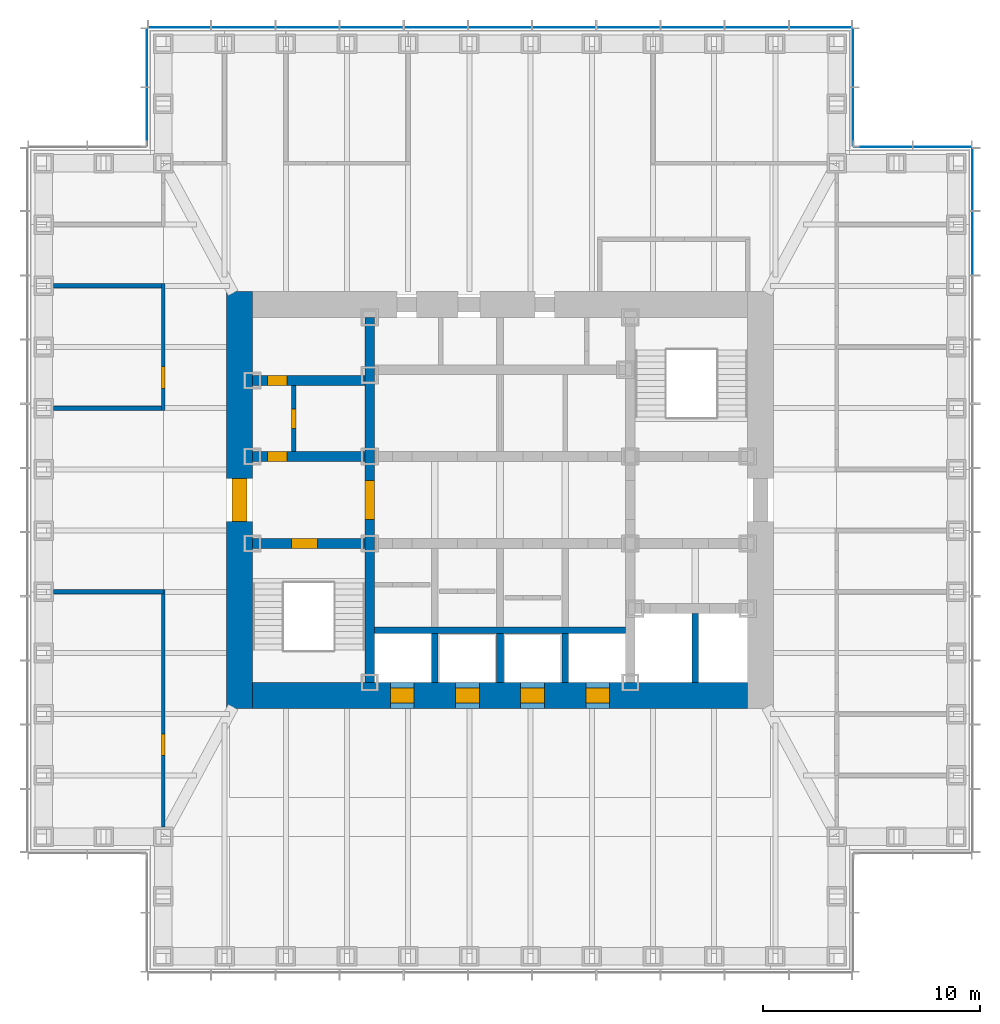
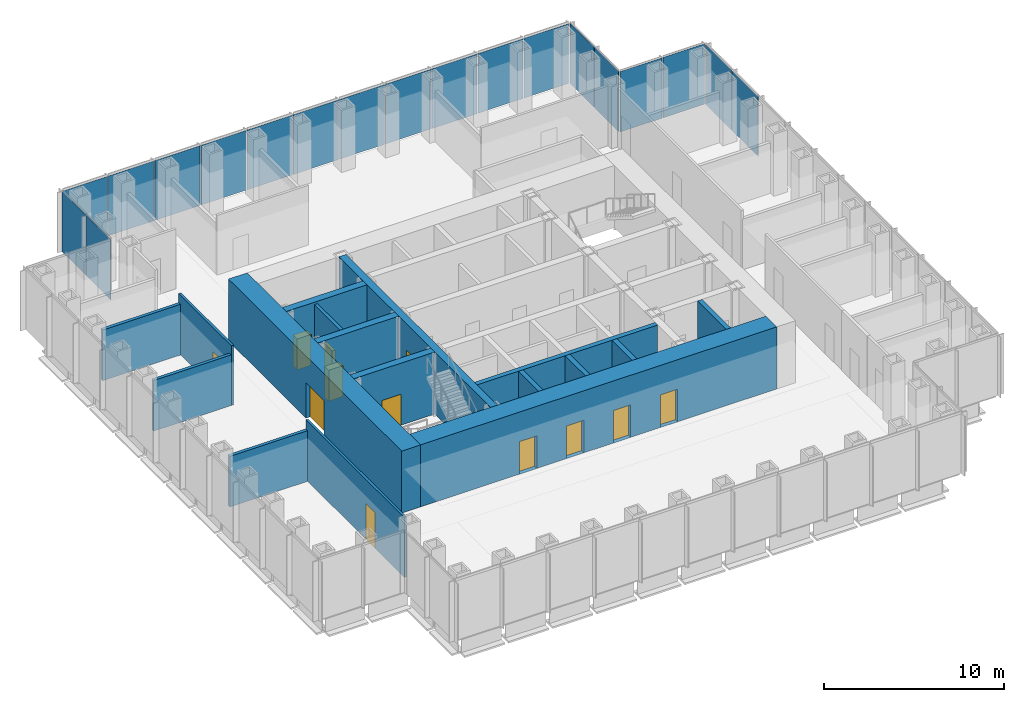
# One storey, part 8 of 16: 19 plates, 17 walls, 12 doors, 12 openings, 5 elements without a shape of their own.
"""IFC4 building model written with IfcOpenShell, lengths in metres."""

from ifc_helpers import new_model, si_unit, direction, frame, frame_2d, origin, origin_2d, place, context, subcontext, project, spatial, rectangle, extrude, material, layer, layer_set, type_object, element, fill, aggregate, save


model = new_model("IFC4")

# Units and contexts
model_context = context("Model", 3, precision=1e-05, world=origin(), true_north=direction((0.0, 1.0)))
body_context = subcontext(model_context, "Body", "Model", "MODEL_VIEW")
ifc_project = project(units=[si_unit("LENGTHUNIT", "METRE"), si_unit("AREAUNIT", "SQUARE_METRE"), si_unit("VOLUMEUNIT", "CUBIC_METRE"), si_unit("PLANEANGLEUNIT", "RADIAN"), si_unit("MASSUNIT", "GRAM", prefix="KILO")], contexts=[model_context])

# Site, building, storey
site_placement = place(None, origin())
site = spatial("IfcSite", under=ifc_project, at=site_placement, CompositionType="ELEMENT")
building_placement = place(site_placement, origin())
building = spatial("IfcBuilding", under=site, at=building_placement, Name="Daluyong Arena Tower", CompositionType="ELEMENT")
storey_placement = place(building_placement, frame((0.0, 0.0, 206.5)))
storey = spatial("IfcBuildingStorey", under=building, at=storey_placement, Name="L46", CompositionType="ELEMENT", Elevation=206.5)

# Curtain wall, plates
ifc_material_1 = material(Name="Bronze anodised aluminium and glass", Category="aluminium")
curtain_wall_type_1 = type_object("IfcCurtainWallType", Name="Curtain wall CW3", PredefinedType="USERDEFINED", material=ifc_material_1)
curtain_wall_1_placement = place(storey_placement, origin())
curtain_wall_1 = element("IfcCurtainWall", 1, at=curtain_wall_1_placement, inside=storey, type_object=curtain_wall_type_1, Name="curtain wall L46 E", ObjectType="UNITISED CURTAIN WALL", PredefinedType="USERDEFINED")
ifc_material_2 = material(Name="Tinted double glazed unit", Category="glass")
ifc_layer_1 = layer(ifc_material_2, 0.030029296875)
ifc_layer_set_1 = layer_set([ifc_layer_1], Name="Tinted double glazed unit")
plate_type_1 = type_object("IfcPlateType", Name="CW3 panel 30", PredefinedType="CURTAIN_PANEL", material=ifc_layer_set_1)
plate_1_placement = place(storey_placement, frame((77.75, 91.818115234375, 0.0), z_axis=(0.0, 0.0, 1.0), x_axis=(0.0, 1.0, 0.0)))
plate_1 = element("IfcPlate", 2, at=plate_1_placement, type_object=plate_type_1, Name="curtain wall L46 E panel 10", PredefinedType="CURTAIN_PANEL", context=body_context, shape_type="SweptSolid", body=[
    extrude(rectangle(XDim=2.884521484375, YDim=0.030029296875, at=origin_2d()), origin(), (0.0, 0.0, 1.0), 4.0400390625),
])
plate_2_placement = place(storey_placement, frame((77.75, 94.755126953125, 0.0), z_axis=(0.0, 0.0, 1.0), x_axis=(0.0, 1.0, 0.0)))
plate_2 = element("IfcPlate", 3, at=plate_2_placement, type_object=plate_type_1, Name="curtain wall L46 E panel 11", PredefinedType="CURTAIN_PANEL", context=body_context, shape_type="SweptSolid", body=[
    extrude(rectangle(XDim=2.849609375, YDim=0.030029296875, at=origin_2d()), origin(), (0.0, 0.0, 1.0), 4.0400390625),
])
aggregate(curtain_wall_1, [plate_1, plate_2])

curtain_wall_2_placement = place(storey_placement, origin())
curtain_wall_2 = element("IfcCurtainWall", 4, at=curtain_wall_2_placement, inside=storey, type_object=curtain_wall_type_1, Name="curtain wall L46 N", ObjectType="UNITISED CURTAIN WALL", PredefinedType="USERDEFINED")
plate_3_placement = place(storey_placement, frame((70.755126953125, 101.75, 0.0), z_axis=(0.0, 0.0, 1.0), x_axis=(-1.0, 0.0, 0.0)))
plate_3 = element("IfcPlate", 5, at=plate_3_placement, type_object=plate_type_1, Name="curtain wall L46 N panel 1", PredefinedType="CURTAIN_PANEL", context=body_context, shape_type="SweptSolid", body=[
    extrude(rectangle(XDim=2.849609375, YDim=0.030029296875, at=origin_2d()), origin(), (0.0, 0.0, 1.0), 4.0400390625),
])
plate_4_placement = place(storey_placement, frame((67.818115234375, 101.75, 0.0), z_axis=(0.0, 0.0, 1.0), x_axis=(-1.0, 0.0, 0.0)))
plate_4 = element("IfcPlate", 6, at=plate_4_placement, type_object=plate_type_1, Name="curtain wall L46 N panel 2", PredefinedType="CURTAIN_PANEL", context=body_context, shape_type="SweptSolid", body=[
    extrude(rectangle(XDim=2.884521484375, YDim=0.030029296875, at=origin_2d()), origin(), (0.0, 0.0, 1.0), 4.0400390625),
])
plate_5_placement = place(storey_placement, frame((64.863525390625, 101.75, 0.0), z_axis=(0.0, 0.0, 1.0), x_axis=(-1.0, 0.0, 0.0)))
plate_5 = element("IfcPlate", 7, at=plate_5_placement, type_object=plate_type_1, Name="curtain wall L46 N panel 3", PredefinedType="CURTAIN_PANEL", context=body_context, shape_type="SweptSolid", body=[
    extrude(rectangle(XDim=2.884521484375, YDim=0.030029296875, at=origin_2d()), origin(), (0.0, 0.0, 1.0), 4.0400390625),
])
plate_6_placement = place(storey_placement, frame((61.9091796875, 101.75, 0.0), z_axis=(0.0, 0.0, 1.0), x_axis=(-1.0, 0.0, 0.0)))
plate_6 = element("IfcPlate", 8, at=plate_6_placement, type_object=plate_type_1, Name="curtain wall L46 N panel 4", PredefinedType="CURTAIN_PANEL", context=body_context, shape_type="SweptSolid", body=[
    extrude(rectangle(XDim=2.884521484375, YDim=0.030029296875, at=origin_2d()), origin(), (0.0, 0.0, 1.0), 4.0400390625),
])
plate_7_placement = place(storey_placement, frame((58.95458984375, 101.75, 0.0), z_axis=(0.0, 0.0, 1.0), x_axis=(-1.0, 0.0, 0.0)))
plate_7 = element("IfcPlate", 9, at=plate_7_placement, type_object=plate_type_1, Name="curtain wall L46 N panel 5", PredefinedType="CURTAIN_PANEL", context=body_context, shape_type="SweptSolid", body=[
    extrude(rectangle(XDim=2.884521484375, YDim=0.030029296875, at=origin_2d()), origin(), (0.0, 0.0, 1.0), 4.0400390625),
])
plate_8_placement = place(storey_placement, frame((56.0, 101.75, 0.0), z_axis=(0.0, 0.0, 1.0), x_axis=(-1.0, 0.0, 0.0)))
plate_8 = element("IfcPlate", 10, at=plate_8_placement, type_object=plate_type_1, Name="curtain wall L46 N panel 6", PredefinedType="CURTAIN_PANEL", context=body_context, shape_type="SweptSolid", body=[
    extrude(rectangle(XDim=2.884521484375, YDim=0.030029296875, at=origin_2d()), origin(), (0.0, 0.0, 1.0), 4.0400390625),
])
plate_9_placement = place(storey_placement, frame((53.04541015625, 101.75, 0.0), z_axis=(0.0, 0.0, 1.0), x_axis=(-1.0, 0.0, 0.0)))
plate_9 = element("IfcPlate", 11, at=plate_9_placement, type_object=plate_type_1, Name="curtain wall L46 N panel 7", PredefinedType="CURTAIN_PANEL", context=body_context, shape_type="SweptSolid", body=[
    extrude(rectangle(XDim=2.884521484375, YDim=0.030029296875, at=origin_2d()), origin(), (0.0, 0.0, 1.0), 4.0400390625),
])
plate_10_placement = place(storey_placement, frame((50.0908203125, 101.75, 0.0), z_axis=(0.0, 0.0, 1.0), x_axis=(-1.0, 0.0, 0.0)))
plate_10 = element("IfcPlate", 12, at=plate_10_placement, type_object=plate_type_1, Name="curtain wall L46 N panel 8", PredefinedType="CURTAIN_PANEL", context=body_context, shape_type="SweptSolid", body=[
    extrude(rectangle(XDim=2.884521484375, YDim=0.030029296875, at=origin_2d()), origin(), (0.0, 0.0, 1.0), 4.0400390625),
])
plate_11_placement = place(storey_placement, frame((47.136474609375, 101.75, 0.0), z_axis=(0.0, 0.0, 1.0), x_axis=(-1.0, 0.0, 0.0)))
plate_11 = element("IfcPlate", 13, at=plate_11_placement, type_object=plate_type_1, Name="curtain wall L46 N panel 9", PredefinedType="CURTAIN_PANEL", context=body_context, shape_type="SweptSolid", body=[
    extrude(rectangle(XDim=2.884521484375, YDim=0.030029296875, at=origin_2d()), origin(), (0.0, 0.0, 1.0), 4.0400390625),
])
plate_12_placement = place(storey_placement, frame((44.181884765625, 101.75, 0.0), z_axis=(0.0, 0.0, 1.0), x_axis=(-1.0, 0.0, 0.0)))
plate_12 = element("IfcPlate", 14, at=plate_12_placement, type_object=plate_type_1, Name="curtain wall L46 N panel 10", PredefinedType="CURTAIN_PANEL", context=body_context, shape_type="SweptSolid", body=[
    extrude(rectangle(XDim=2.884521484375, YDim=0.030029296875, at=origin_2d()), origin(), (0.0, 0.0, 1.0), 4.0400390625),
])
plate_13_placement = place(storey_placement, frame((41.244873046875, 101.75, 0.0), z_axis=(0.0, 0.0, 1.0), x_axis=(-1.0, 0.0, 0.0)))
plate_13 = element("IfcPlate", 15, at=plate_13_placement, type_object=plate_type_1, Name="curtain wall L46 N panel 11", PredefinedType="CURTAIN_PANEL", context=body_context, shape_type="SweptSolid", body=[
    extrude(rectangle(XDim=2.849609375, YDim=0.030029296875, at=origin_2d()), origin(), (0.0, 0.0, 1.0), 4.0400390625),
])
aggregate(curtain_wall_2, [plate_3, plate_4, plate_5, plate_6, plate_7, plate_8, plate_9, plate_10, plate_11, plate_12, plate_13])

ifc_material_3 = material(Name="Bronze anodised aluminium and glass", Category="aluminium")
curtain_wall_type_2 = type_object("IfcCurtainWallType", Name="Curtain wall CW7", PredefinedType="USERDEFINED", material=ifc_material_3)
curtain_wall_3_placement = place(storey_placement, origin())
curtain_wall_3 = element("IfcCurtainWall", 16, at=curtain_wall_3_placement, inside=storey, type_object=curtain_wall_type_2, Name="curtain wall L46 NE-N", ObjectType="UNITISED CURTAIN WALL", PredefinedType="USERDEFINED")
ifc_material_4 = material(Name="Tinted double glazed unit", Category="glass")
ifc_layer_2 = layer(ifc_material_4, 0.028076171875)
ifc_layer_set_2 = layer_set([ifc_layer_2], Name="Tinted double glazed unit")
plate_type_2 = type_object("IfcPlateType", Name="CW7 panel 28", PredefinedType="CURTAIN_PANEL", material=ifc_layer_set_2)
plate_14_placement = place(storey_placement, frame((76.360107421875, 96.25, 0.0), z_axis=(0.0, 0.0, 1.0), x_axis=(-1.0, 0.0, 0.0)))
plate_14 = element("IfcPlate", 17, at=plate_14_placement, type_object=plate_type_2, Name="curtain wall L46 NE-N panel 1", PredefinedType="CURTAIN_PANEL", context=body_context, shape_type="SweptSolid", body=[
    extrude(rectangle(XDim=2.659912109375, YDim=0.028076171875, at=origin_2d()), origin(), (0.0, 0.0, 1.0), 4.080078125),
])
plate_15_placement = place(storey_placement, frame((73.639892578125, 96.25, 0.0), z_axis=(0.0, 0.0, 1.0), x_axis=(-1.0, 0.0, 0.0)))
plate_15 = element("IfcPlate", 18, at=plate_15_placement, type_object=plate_type_2, Name="curtain wall L46 NE-N panel 2", PredefinedType="CURTAIN_PANEL", context=body_context, shape_type="SweptSolid", body=[
    extrude(rectangle(XDim=2.659912109375, YDim=0.028076171875, at=origin_2d()), origin(), (0.0, 0.0, 1.0), 4.080078125),
])
aggregate(curtain_wall_3, [plate_14, plate_15])

curtain_wall_4_placement = place(storey_placement, origin())
curtain_wall_4 = element("IfcCurtainWall", 19, at=curtain_wall_4_placement, inside=storey, type_object=curtain_wall_type_2, Name="curtain wall L46 NE-E", ObjectType="UNITISED CURTAIN WALL", PredefinedType="USERDEFINED")
plate_16_placement = place(storey_placement, frame((72.25, 97.639892578125, 0.0), z_axis=(0.0, 0.0, 1.0), x_axis=(0.0, 1.0, 0.0)))
plate_16 = element("IfcPlate", 20, at=plate_16_placement, type_object=plate_type_2, Name="curtain wall L46 NE-E panel 1", PredefinedType="CURTAIN_PANEL", context=body_context, shape_type="SweptSolid", body=[
    extrude(rectangle(XDim=2.659912109375, YDim=0.028076171875, at=origin_2d()), origin(), (0.0, 0.0, 1.0), 4.080078125),
])
plate_17_placement = place(storey_placement, frame((72.25, 100.360107421875, 0.0), z_axis=(0.0, 0.0, 1.0), x_axis=(0.0, 1.0, 0.0)))
plate_17 = element("IfcPlate", 21, at=plate_17_placement, type_object=plate_type_2, Name="curtain wall L46 NE-E panel 2", PredefinedType="CURTAIN_PANEL", context=body_context, shape_type="SweptSolid", body=[
    extrude(rectangle(XDim=2.659912109375, YDim=0.028076171875, at=origin_2d()), origin(), (0.0, 0.0, 1.0), 4.080078125),
])
aggregate(curtain_wall_4, [plate_16, plate_17])

curtain_wall_5_placement = place(storey_placement, origin())
curtain_wall_5 = element("IfcCurtainWall", 22, at=curtain_wall_5_placement, inside=storey, type_object=curtain_wall_type_2, Name="curtain wall L46 NW-W", ObjectType="UNITISED CURTAIN WALL", PredefinedType="USERDEFINED")
plate_18_placement = place(storey_placement, frame((39.75, 100.360107421875, 0.0), z_axis=(0.0, 0.0, 1.0), x_axis=(0.0, -1.0, 0.0)))
plate_18 = element("IfcPlate", 23, at=plate_18_placement, type_object=plate_type_2, Name="curtain wall L46 NW-W panel 1", PredefinedType="CURTAIN_PANEL", context=body_context, shape_type="SweptSolid", body=[
    extrude(rectangle(XDim=2.659912109375, YDim=0.028076171875, at=origin_2d()), origin(), (0.0, 0.0, 1.0), 4.080078125),
])
plate_19_placement = place(storey_placement, frame((39.75, 97.639892578125, 0.0), z_axis=(0.0, 0.0, 1.0), x_axis=(0.0, -1.0, 0.0)))
plate_19 = element("IfcPlate", 24, at=plate_19_placement, type_object=plate_type_2, Name="curtain wall L46 NW-W panel 2", PredefinedType="CURTAIN_PANEL", context=body_context, shape_type="SweptSolid", body=[
    extrude(rectangle(XDim=2.659912109375, YDim=0.028076171875, at=origin_2d()), origin(), (0.0, 0.0, 1.0), 4.080078125),
])
aggregate(curtain_wall_5, [plate_18, plate_19])

# Wall, opening, door
ifc_material_5 = material(Name="Concrete fc' 45 MPa", Category="concrete")
ifc_layer_3 = layer(ifc_material_5, 0.449951171875)
ifc_layer_set_3 = layer_set([ifc_layer_3], Name="Concrete fc' 45 MPa")
wall_type_1 = type_object("IfcWallType", Name="Core inner wall 450", PredefinedType="SHEAR", material=ifc_layer_set_3)
wall_1_placement = place(storey_placement, frame((50.0, 71.60009765625, 0.0), z_axis=(0.0, 0.0, 1.0), x_axis=(0.0, 1.0, 0.0)))
wall_1 = element("IfcWall", 25, at=wall_1_placement, inside=storey, type_object=wall_type_1, Name="core inner wall at L46", PredefinedType="SHEAR", context=body_context, shape_type="SweptSolid", body=[
    extrude(rectangle(XDim=16.7998046875, YDim=0.449951171875, at=frame_2d((8.39990234375, 0.0))), origin(), (0.0, 0.0, 1.0), 4.199951171875),
])
opening_1_placement = place(wall_1_placement, frame((7.5, 0.0, 0.0)))
opening_1 = element("IfcOpeningElement", 26, at=opening_1_placement, cuts=wall_1, Name="Opening 46023", PredefinedType="OPENING", context=body_context, shape_type="SweptSolid", body=[
    extrude(rectangle(XDim=1.800048828125, YDim=2.39990234375, at=frame_2d((0.89990234375, 1.199951171875))), frame((0.0, 0.23486328125, 0.0), z_axis=(0.0, -1.0, 0.0), x_axis=(1.0, 0.0, 0.0)), (0.0, 0.0, 1.0), 0.469970703125),
])
ifc_material_6 = material(Name="Steel door, fire rated", Category="steel")
door_type_1 = type_object("IfcDoorType", Name="Lift lobby opening door 1800", OperationType="DOUBLE_DOOR_SINGLE_SWING", PredefinedType="DOOR", material=ifc_material_6)
door_1_placement = place(opening_1_placement, origin())
door_1 = element("IfcDoor", 27, at=door_1_placement, inside=storey, type_object=door_type_1, Name="lift lobby door west 46023", OperationType="DOUBLE_DOOR_SINGLE_SWING", OverallHeight=2.39990234375, OverallWidth=1.800048828125, PredefinedType="DOOR", context=body_context, shape_type="SweptSolid", body=[
    extrude(rectangle(XDim=1.800048828125, YDim=2.39990234375, at=frame_2d((0.89990234375, 1.199951171875))), frame((0.0, 0.224609375, 0.0), z_axis=(0.0, -1.0, 0.0), x_axis=(1.0, 0.0, 0.0)), (0.0, 0.0, 1.0), 0.449462890625),
])
fill(opening_1, door_1)

wall_2_placement = place(storey_placement, frame((44.60009765625, 78.0, 0.0), z_axis=(0.0, 0.0, 1.0), x_axis=(1.0, 0.0, 0.0)))
wall_2 = element("IfcWall", 28, at=wall_2_placement, inside=storey, type_object=wall_type_1, Name="core inner wall at L46", PredefinedType="SHEAR", context=body_context, shape_type="SweptSolid", body=[
    extrude(rectangle(XDim=5.1748046875, YDim=0.449951171875, at=frame_2d((2.58740234375, 0.0))), origin(), (0.0, 0.0, 1.0), 4.199951171875),
])
opening_2_placement = place(wall_2_placement, frame((1.800048828125, 0.0, 0.0)))
opening_2 = element("IfcOpeningElement", 29, at=opening_2_placement, cuts=wall_2, Name="Opening 46019", PredefinedType="OPENING", context=body_context, shape_type="SweptSolid", body=[
    extrude(rectangle(XDim=1.199951171875, YDim=2.10009765625, at=frame_2d((0.60009765625, 1.050048828125))), frame((0.0, 0.23486328125, 0.0), z_axis=(0.0, -1.0, 0.0), x_axis=(1.0, 0.0, 0.0)), (0.0, 0.0, 1.0), 0.469970703125),
])
ifc_material_7 = material(Name="Steel door, fire rated", Category="steel")
door_type_2 = type_object("IfcDoorType", Name="Stair door 1200", OperationType="SINGLE_SWING_LEFT", PredefinedType="DOOR", material=ifc_material_7)
door_2_placement = place(opening_2_placement, origin())
door_2 = element("IfcDoor", 30, at=door_2_placement, inside=storey, type_object=door_type_2, Name="stair A door 46019", OperationType="SINGLE_SWING_LEFT", OverallHeight=2.10009765625, OverallWidth=1.199951171875, PredefinedType="DOOR", context=body_context, shape_type="SweptSolid", body=[
    extrude(rectangle(XDim=1.199951171875, YDim=2.10009765625, at=frame_2d((0.60009765625, 1.050048828125))), frame((0.0, 0.224609375, 0.0), z_axis=(0.0, -1.0, 0.0), x_axis=(1.0, 0.0, 0.0)), (0.0, 0.0, 1.0), 0.449462890625),
])
fill(opening_2, door_2)

wall_3_placement = place(storey_placement, frame((44.60009765625, 82.0, 0.0), z_axis=(0.0, 0.0, 1.0), x_axis=(1.0, 0.0, 0.0)))
wall_3 = element("IfcWall", 31, at=wall_3_placement, inside=storey, type_object=wall_type_1, Name="core inner wall at L46", PredefinedType="SHEAR", context=body_context, shape_type="SweptSolid", body=[
    extrude(rectangle(XDim=5.1748046875, YDim=0.449951171875, at=frame_2d((2.58740234375, 0.0))), origin(), (0.0, 0.0, 1.0), 4.199951171875),
])
opening_3_placement = place(wall_3_placement, frame((0.699951171875, 0.0, 0.0)))
opening_3 = element("IfcOpeningElement", 32, at=opening_3_placement, cuts=wall_3, Name="Opening 46001", PredefinedType="OPENING", context=body_context, shape_type="SweptSolid", body=[
    extrude(rectangle(XDim=0.89990234375, YDim=2.10009765625, at=frame_2d((0.449951171875, 1.050048828125))), frame((0.0, 0.23486328125, 0.0), z_axis=(0.0, -1.0, 0.0), x_axis=(1.0, 0.0, 0.0)), (0.0, 0.0, 1.0), 0.469970703125),
])
ifc_material_8 = material(Name="Steel door, fire rated", Category="steel")
door_type_3 = type_object("IfcDoorType", Name="Core room door 900", OperationType="SINGLE_SWING_LEFT", PredefinedType="DOOR", material=ifc_material_8)
door_3_placement = place(opening_3_placement, origin())
door_3 = element("IfcDoor", 33, at=door_3_placement, inside=storey, type_object=door_type_3, Name="toilet lobby door 46001", OperationType="SINGLE_SWING_LEFT", OverallHeight=2.10009765625, OverallWidth=0.89990234375, PredefinedType="DOOR", context=body_context, shape_type="SweptSolid", body=[
    extrude(rectangle(XDim=0.89990234375, YDim=2.10009765625, at=frame_2d((0.449951171875, 1.050048828125))), frame((0.0, 0.224609375, 0.0), z_axis=(0.0, -1.0, 0.0), x_axis=(1.0, 0.0, 0.0)), (0.0, 0.0, 1.0), 0.449462890625),
])
fill(opening_3, door_3)

wall_4_placement = place(storey_placement, frame((44.60009765625, 85.5, 0.0), z_axis=(0.0, 0.0, 1.0), x_axis=(1.0, 0.0, 0.0)))
wall_4 = element("IfcWall", 34, at=wall_4_placement, inside=storey, type_object=wall_type_1, Name="core inner wall at L46", PredefinedType="SHEAR", context=body_context, shape_type="SweptSolid", body=[
    extrude(rectangle(XDim=5.1748046875, YDim=0.449951171875, at=frame_2d((2.58740234375, 0.0))), origin(), (0.0, 0.0, 1.0), 4.199951171875),
])
opening_4_placement = place(wall_4_placement, frame((0.699951171875, 0.0, 0.0)))
opening_4 = element("IfcOpeningElement", 35, at=opening_4_placement, cuts=wall_4, Name="Opening 46003", PredefinedType="OPENING", context=body_context, shape_type="SweptSolid", body=[
    extrude(rectangle(XDim=0.89990234375, YDim=2.10009765625, at=frame_2d((0.449951171875, 1.050048828125))), frame((0.0, 0.23486328125, 0.0), z_axis=(0.0, -1.0, 0.0), x_axis=(1.0, 0.0, 0.0)), (0.0, 0.0, 1.0), 0.469970703125),
])
ifc_material_9 = material(Name="Timber door", Category="wood")
door_type_4 = type_object("IfcDoorType", Name="Toilet door 900", OperationType="SINGLE_SWING_RIGHT", PredefinedType="DOOR", material=ifc_material_9)
door_4_placement = place(opening_4_placement, origin())
door_4 = element("IfcDoor", 36, at=door_4_placement, inside=storey, type_object=door_type_4, Name="female toilet door 46003", OperationType="SINGLE_SWING_RIGHT", OverallHeight=2.10009765625, OverallWidth=0.89990234375, PredefinedType="DOOR", context=body_context, shape_type="SweptSolid", body=[
    extrude(rectangle(XDim=0.89990234375, YDim=2.10009765625, at=frame_2d((0.449951171875, 1.050048828125))), frame((0.0, 0.224609375, 0.0), z_axis=(0.0, -1.0, 0.0), x_axis=(1.0, 0.0, 0.0)), (0.0, 0.0, 1.0), 0.449462890625),
])
fill(opening_4, door_4)

ifc_material_10 = material(Name="Concrete fc' 60 MPa", Category="concrete")
ifc_layer_4 = layer(ifc_material_10, 1.199951171875)
ifc_layer_set_4 = layer_set([ifc_layer_4], Name="Concrete fc' 60 MPa")
wall_type_2 = type_object("IfcWallType", Name="Core wall 1200", PredefinedType="SHEAR", material=ifc_layer_set_4)
wall_5_placement = place(storey_placement, frame((44.0, 70.39990234375, 0.0), z_axis=(0.0, 0.0, 1.0), x_axis=(0.0, 1.0, 0.0)))
wall_5 = element("IfcWall", 37, at=wall_5_placement, inside=storey, type_object=wall_type_2, Name="core wall at L46", PredefinedType="SHEAR", context=body_context, shape_type="SweptSolid", body=[
    extrude(rectangle(XDim=19.2001953125, YDim=1.199951171875, at=frame_2d((9.60009765625, 0.0))), origin(), (0.0, 0.0, 1.0), 4.199951171875),
])
opening_5_placement = place(wall_5_placement, frame((8.60009765625, 0.0, 0.0)))
opening_5 = element("IfcOpeningElement", 38, at=opening_5_placement, cuts=wall_5, Name="Opening 46021", PredefinedType="OPENING", context=body_context, shape_type="SweptSolid", body=[
    extrude(rectangle(XDim=2.0, YDim=2.39990234375, at=frame_2d((1.0, 1.199951171875))), frame((0.0, 0.60986328125, 0.0), z_axis=(0.0, -1.0, 0.0), x_axis=(1.0, 0.0, 0.0)), (0.0, 0.0, 1.0), 1.219970703125),
])
ifc_material_11 = material(Name="Steel door, fire rated", Category="steel")
door_type_5 = type_object("IfcDoorType", Name="Core lobby double door 2000", OperationType="DOUBLE_DOOR_SINGLE_SWING", PredefinedType="DOOR", material=ifc_material_11)
door_5_placement = place(opening_5_placement, origin())
door_5 = element("IfcDoor", 39, at=door_5_placement, inside=storey, type_object=door_type_5, Name="core lobby door west 46021", OperationType="DOUBLE_DOOR_SINGLE_SWING", OverallHeight=2.39990234375, OverallWidth=2.0, PredefinedType="DOOR", context=body_context, shape_type="SweptSolid", body=[
    extrude(rectangle(XDim=2.0, YDim=2.39990234375, at=frame_2d((1.0, 1.199951171875))), frame((0.0, 0.35009765625, 0.0), z_axis=(0.0, -1.0, 0.0), x_axis=(1.0, 0.0, 0.0)), (0.0, 0.0, 1.0), 0.699951171875),
])
fill(opening_5, door_5)

# Wall, openings, doors
wall_6_placement = place(storey_placement, frame((44.60009765625, 71.0, 0.0), z_axis=(0.0, 0.0, 1.0), x_axis=(1.0, 0.0, 0.0)))
wall_6 = element("IfcWall", 40, at=wall_6_placement, inside=storey, type_object=wall_type_2, Name="core wall at L46", PredefinedType="SHEAR", context=body_context, shape_type="SweptSolid", body=[
    extrude(rectangle(XDim=22.7998046875, YDim=1.199951171875, at=frame_2d((11.39990234375, 0.0))), origin(), (0.0, 0.0, 1.0), 4.199951171875),
])
opening_6_placement = place(wall_6_placement, frame((6.35009765625, 0.0, 0.0)))
opening_6 = element("IfcOpeningElement", 41, at=opening_6_placement, cuts=wall_6, Name="Opening 46026", PredefinedType="OPENING", context=body_context, shape_type="SweptSolid", body=[
    extrude(rectangle(XDim=1.10009765625, YDim=2.199951171875, at=frame_2d((0.550048828125, 1.10009765625))), frame((0.0, 0.60986328125, 0.0), z_axis=(0.0, -1.0, 0.0), x_axis=(1.0, 0.0, 0.0)), (0.0, 0.0, 1.0), 1.219970703125),
])
opening_7_placement = place(wall_6_placement, frame((9.35009765625, 0.0, 0.0)))
opening_7 = element("IfcOpeningElement", 42, at=opening_7_placement, cuts=wall_6, Name="Opening 46027", PredefinedType="OPENING", context=body_context, shape_type="SweptSolid", body=[
    extrude(rectangle(XDim=1.10009765625, YDim=2.199951171875, at=frame_2d((0.550048828125, 1.10009765625))), frame((0.0, 0.60986328125, 0.0), z_axis=(0.0, -1.0, 0.0), x_axis=(1.0, 0.0, 0.0)), (0.0, 0.0, 1.0), 1.219970703125),
])
opening_8_placement = place(wall_6_placement, frame((12.35009765625, 0.0, 0.0)))
opening_8 = element("IfcOpeningElement", 43, at=opening_8_placement, cuts=wall_6, Name="Opening 46028", PredefinedType="OPENING", context=body_context, shape_type="SweptSolid", body=[
    extrude(rectangle(XDim=1.10009765625, YDim=2.199951171875, at=frame_2d((0.550048828125, 1.10009765625))), frame((0.0, 0.60986328125, 0.0), z_axis=(0.0, -1.0, 0.0), x_axis=(1.0, 0.0, 0.0)), (0.0, 0.0, 1.0), 1.219970703125),
])
opening_9_placement = place(wall_6_placement, frame((15.35009765625, 0.0, 0.0)))
opening_9 = element("IfcOpeningElement", 44, at=opening_9_placement, cuts=wall_6, Name="Opening 46029", PredefinedType="OPENING", context=body_context, shape_type="SweptSolid", body=[
    extrude(rectangle(XDim=1.10009765625, YDim=2.199951171875, at=frame_2d((0.550048828125, 1.10009765625))), frame((0.0, 0.60986328125, 0.0), z_axis=(0.0, -1.0, 0.0), x_axis=(1.0, 0.0, 0.0)), (0.0, 0.0, 1.0), 1.219970703125),
])
ifc_material_12 = material(Name="Steel door, fire rated", Category="steel")
door_type_6 = type_object("IfcDoorType", Name="Lift landing door 1100", OperationType="SLIDING_TO_LEFT", PredefinedType="DOOR", material=ifc_material_12)
door_6_placement = place(opening_6_placement, origin())
door_6 = element("IfcDoor", 45, at=door_6_placement, inside=storey, type_object=door_type_6, Name="lift landing door C1 46026", OperationType="SLIDING_TO_LEFT", OverallHeight=2.199951171875, OverallWidth=1.10009765625, PredefinedType="DOOR", context=body_context, shape_type="SweptSolid", body=[
    extrude(rectangle(XDim=1.10009765625, YDim=2.199951171875, at=frame_2d((0.550048828125, 1.10009765625))), frame((0.0, 0.35009765625, 0.0), z_axis=(0.0, -1.0, 0.0), x_axis=(1.0, 0.0, 0.0)), (0.0, 0.0, 1.0), 0.699951171875),
])
fill(opening_6, door_6)
door_7_placement = place(opening_7_placement, origin())
door_7 = element("IfcDoor", 46, at=door_7_placement, inside=storey, type_object=door_type_6, Name="lift landing door C2 46027", OperationType="SLIDING_TO_LEFT", OverallHeight=2.199951171875, OverallWidth=1.10009765625, PredefinedType="DOOR", context=body_context, shape_type="SweptSolid", body=[
    extrude(rectangle(XDim=1.10009765625, YDim=2.199951171875, at=frame_2d((0.550048828125, 1.10009765625))), frame((0.0, 0.35009765625, 0.0), z_axis=(0.0, -1.0, 0.0), x_axis=(1.0, 0.0, 0.0)), (0.0, 0.0, 1.0), 0.699951171875),
])
fill(opening_7, door_7)
door_8_placement = place(opening_8_placement, origin())
door_8 = element("IfcDoor", 47, at=door_8_placement, inside=storey, type_object=door_type_6, Name="lift landing door C3 46028", OperationType="SLIDING_TO_LEFT", OverallHeight=2.199951171875, OverallWidth=1.10009765625, PredefinedType="DOOR", context=body_context, shape_type="SweptSolid", body=[
    extrude(rectangle(XDim=1.10009765625, YDim=2.199951171875, at=frame_2d((0.550048828125, 1.10009765625))), frame((0.0, 0.35009765625, 0.0), z_axis=(0.0, -1.0, 0.0), x_axis=(1.0, 0.0, 0.0)), (0.0, 0.0, 1.0), 0.699951171875),
])
fill(opening_8, door_8)
door_9_placement = place(opening_9_placement, origin())
door_9 = element("IfcDoor", 48, at=door_9_placement, inside=storey, type_object=door_type_6, Name="lift landing door C4 46029", OperationType="SLIDING_TO_LEFT", OverallHeight=2.199951171875, OverallWidth=1.10009765625, PredefinedType="DOOR", context=body_context, shape_type="SweptSolid", body=[
    extrude(rectangle(XDim=1.10009765625, YDim=2.199951171875, at=frame_2d((0.550048828125, 1.10009765625))), frame((0.0, 0.35009765625, 0.0), z_axis=(0.0, -1.0, 0.0), x_axis=(1.0, 0.0, 0.0)), (0.0, 0.0, 1.0), 0.699951171875),
])
fill(opening_9, door_9)

# Wall, opening, door
ifc_material_13 = material(Name="Concrete block partition, fire rated", Category="concrete")
ifc_layer_5 = layer(ifc_material_13, 0.199951171875)
ifc_layer_set_5 = layer_set([ifc_layer_5], Name="Concrete block partition, fire rated")
wall_type_3 = type_object("IfcWallType", Name="Fire-rated partition 200", PredefinedType="PARTITIONING", material=ifc_layer_set_5)
wall_7_placement = place(storey_placement, frame((46.5, 82.22509765625, 0.0), z_axis=(0.0, 0.0, 1.0), x_axis=(0.0, 1.0, 0.0)))
wall_7 = element("IfcWall", 49, at=wall_7_placement, inside=storey, type_object=wall_type_3, Name="toilet lobby partition at L46", PredefinedType="PARTITIONING", context=body_context, shape_type="SweptSolid", body=[
    extrude(rectangle(XDim=3.0498046875, YDim=0.199951171875, at=frame_2d((1.52490234375, 0.0))), origin(), (0.0, 0.0, 1.0), 4.0400390625),
])
opening_10_placement = place(wall_7_placement, frame((1.074951171875, 0.0, 0.0)))
opening_10 = element("IfcOpeningElement", 50, at=opening_10_placement, cuts=wall_7, Name="Opening 46002", PredefinedType="OPENING", context=body_context, shape_type="SweptSolid", body=[
    extrude(rectangle(XDim=0.89990234375, YDim=2.10009765625, at=frame_2d((0.449951171875, 1.050048828125))), frame((0.0, 0.10986328125, 0.0), z_axis=(0.0, -1.0, 0.0), x_axis=(1.0, 0.0, 0.0)), (0.0, 0.0, 1.0), 0.219970703125),
])
door_10_placement = place(opening_10_placement, origin())
door_10 = element("IfcDoor", 51, at=door_10_placement, inside=storey, type_object=door_type_4, Name="male toilet door 46002", OperationType="SINGLE_SWING_RIGHT", OverallHeight=2.10009765625, OverallWidth=0.89990234375, PredefinedType="DOOR", context=body_context, shape_type="SweptSolid", body=[
    extrude(rectangle(XDim=0.89990234375, YDim=2.10009765625, at=frame_2d((0.449951171875, 1.050048828125))), frame((0.0, 0.099609375, 0.0), z_axis=(0.0, -1.0, 0.0), x_axis=(1.0, 0.0, 0.0)), (0.0, 0.0, 1.0), 0.199462890625),
])
fill(opening_10, door_10)

ifc_material_14 = material(Name="Glazed aluminium partition", Category="aluminium")
ifc_layer_6 = layer(ifc_material_14, 0.14990234375)
ifc_layer_set_6 = layer_set([ifc_layer_6], Name="Glazed aluminium partition")
wall_type_4 = type_object("IfcWallType", Name="Glazed partition 150", PredefinedType="PARTITIONING", material=ifc_layer_set_6)
wall_8_placement = place(storey_placement, frame((40.5, 64.949951171875, 0.0), z_axis=(0.0, 0.0, 1.0), x_axis=(0.0, 1.0, 0.0)))
wall_8 = element("IfcWall", 52, at=wall_8_placement, inside=storey, type_object=wall_type_4, Name="glazed partition at L46", PredefinedType="PARTITIONING", context=body_context, shape_type="SweptSolid", body=[
    extrude(rectangle(XDim=10.9228515625, YDim=0.14990234375, at=frame_2d((5.46142578125, 0.0))), origin(), (0.0, 0.0, 1.0), 4.0400390625),
])
opening_11_placement = place(wall_8_placement, frame((3.27734375, 0.0, 0.0)))
opening_11 = element("IfcOpeningElement", 53, at=opening_11_placement, cuts=wall_8, Name="Opening 46042", PredefinedType="OPENING", context=body_context, shape_type="SweptSolid", body=[
    extrude(rectangle(XDim=1.0, YDim=2.39990234375, at=frame_2d((0.5, 1.199951171875))), frame((0.0, 0.0849609375, 0.0), z_axis=(0.0, -1.0, 0.0), x_axis=(1.0, 0.0, 0.0)), (0.0, 0.0, 1.0), 0.169921875),
])
ifc_material_15 = material(Name="Glazed aluminium door", Category="aluminium")
door_type_7 = type_object("IfcDoorType", Name="Meeting room glazed door 1000", OperationType="SINGLE_SWING_RIGHT", PredefinedType="DOOR", material=ifc_material_15)
door_11_placement = place(opening_11_placement, origin())
door_11 = element("IfcDoor", 54, at=door_11_placement, inside=storey, type_object=door_type_7, Name="boardroom door 46042", OperationType="SINGLE_SWING_RIGHT", OverallHeight=2.39990234375, OverallWidth=1.0, PredefinedType="DOOR", context=body_context, shape_type="SweptSolid", body=[
    extrude(rectangle(XDim=1.0, YDim=2.39990234375, at=frame_2d((0.5, 1.199951171875))), frame((0.0, 0.07470703125, 0.0), z_axis=(0.0, -1.0, 0.0), x_axis=(1.0, 0.0, 0.0)), (0.0, 0.0, 1.0), 0.1494140625),
])
fill(opening_11, door_11)

wall_9_placement = place(storey_placement, frame((40.5, 84.127197265625, 0.0), z_axis=(0.0, 0.0, 1.0), x_axis=(0.0, 1.0, 0.0)))
wall_9 = element("IfcWall", 55, at=wall_9_placement, inside=storey, type_object=wall_type_4, Name="glazed partition at L46", PredefinedType="PARTITIONING", context=body_context, shape_type="SweptSolid", body=[
    extrude(rectangle(XDim=5.83642578125, YDim=0.14990234375, at=frame_2d((2.918212890625, 0.0))), origin(), (0.0, 0.0, 1.0), 4.0400390625),
])
opening_12_placement = place(wall_9_placement, frame((1.009033203125, 0.0, 0.0)))
opening_12 = element("IfcOpeningElement", 56, at=opening_12_placement, cuts=wall_9, Name="Opening 46043", PredefinedType="OPENING", context=body_context, shape_type="SweptSolid", body=[
    extrude(rectangle(XDim=1.0, YDim=2.39990234375, at=frame_2d((0.5, 1.199951171875))), frame((0.0, 0.0849609375, 0.0), z_axis=(0.0, -1.0, 0.0), x_axis=(1.0, 0.0, 0.0)), (0.0, 0.0, 1.0), 0.169921875),
])
door_12_placement = place(opening_12_placement, origin())
door_12 = element("IfcDoor", 57, at=door_12_placement, inside=storey, type_object=door_type_7, Name="meeting room door 46043", OperationType="SINGLE_SWING_RIGHT", OverallHeight=2.39990234375, OverallWidth=1.0, PredefinedType="DOOR", context=body_context, shape_type="SweptSolid", body=[
    extrude(rectangle(XDim=1.0, YDim=2.39990234375, at=frame_2d((0.5, 1.199951171875))), frame((0.0, 0.07470703125, 0.0), z_axis=(0.0, -1.0, 0.0), x_axis=(1.0, 0.0, 0.0)), (0.0, 0.0, 1.0), 0.1494140625),
])
fill(opening_12, door_12)

# Walls
ifc_material_16 = material(Name="Concrete fc' 45 MPa", Category="concrete")
ifc_layer_7 = layer(ifc_material_16, 0.300048828125)
ifc_layer_set_7 = layer_set([ifc_layer_7], Name="Concrete fc' 45 MPa")
wall_type_5 = type_object("IfcWallType", Name="Lift shaft wall 300", PredefinedType="SHEAR", material=ifc_layer_set_7)
wall_10_placement = place(storey_placement, frame((50.22509765625, 74.0, 0.0), z_axis=(0.0, 0.0, 1.0), x_axis=(1.0, 0.0, 0.0)))
element("IfcWall", 58, at=wall_10_placement, inside=storey, type_object=wall_type_5, Name="lift shaft wall at L46", PredefinedType="SHEAR", context=body_context, shape_type="SweptSolid", body=[
    extrude(rectangle(XDim=11.5498046875, YDim=0.300048828125, at=frame_2d((5.77490234375, 0.0))), origin(), (0.0, 0.0, 1.0), 4.199951171875),
])
for number, where, z_axis, x_axis, name in (
    (59, (53.0, 71.60009765625, 0.0), (0.0, 0.0, 1.0), (0.0, 1.0, 0.0), "lift shaft wall at L46"),
    (60, (56.0, 71.60009765625, 0.0), (0.0, 0.0, 1.0), (0.0, 1.0, 0.0), "lift shaft wall at L46"),
    (61, (59.0, 71.60009765625, 0.0), (0.0, 0.0, 1.0), (0.0, 1.0, 0.0), "lift shaft wall at L46"),
):
    element("IfcWall", number, at=place(storey_placement, frame(where, z_axis=z_axis, x_axis=x_axis)), inside=storey, type_object=wall_type_5, Name=name, PredefinedType="SHEAR", context=body_context, shape_type="SweptSolid", body=[
        extrude(rectangle(XDim=2.25, YDim=0.300048828125, at=frame_2d((1.125, 0.0))), origin(), (0.0, 0.0, 1.0), 4.199951171875),
    ])
wall_11_placement = place(storey_placement, frame((65.0, 71.60009765625, 0.0), z_axis=(0.0, 0.0, 1.0), x_axis=(0.0, 1.0, 0.0)))
element("IfcWall", 62, at=wall_11_placement, inside=storey, type_object=wall_type_5, Name="lift shaft wall at L46", PredefinedType="SHEAR", context=body_context, shape_type="SweptSolid", body=[
    extrude(rectangle(XDim=3.1748046875, YDim=0.300048828125, at=frame_2d((1.58740234375, 0.0))), origin(), (0.0, 0.0, 1.0), 4.199951171875),
])
ifc_material_17 = material(Name="Concrete block partition", Category="concrete")
ifc_layer_8 = layer(ifc_material_17, 0.199951171875)
ifc_layer_set_8 = layer_set([ifc_layer_8], Name="Concrete block partition")
wall_type_6 = type_object("IfcWallType", Name="Partition 200", PredefinedType="PARTITIONING", material=ifc_layer_set_8)
for number, where, z_axis, x_axis, name in (
    (63, (35.449951171875, 75.772705078125, 0.0), (0.0, 0.0, 1.0), (1.0, 0.0, 0.0), "partition at L46"),
    (64, (35.449951171875, 84.227294921875, 0.0), (0.0, 0.0, 1.0), (1.0, 0.0, 0.0), "partition at L46"),
    (65, (35.449951171875, 89.863525390625, 0.0), (0.0, 0.0, 1.0), (1.0, 0.0, 0.0), "partition at L46"),
):
    element("IfcWall", number, at=place(storey_placement, frame(where, z_axis=z_axis, x_axis=x_axis)), inside=storey, type_object=wall_type_6, Name=name, PredefinedType="PARTITIONING", context=body_context, shape_type="SweptSolid", body=[
        extrude(rectangle(XDim=5.050048828125, YDim=0.199951171875, at=frame_2d((2.52490234375, 0.0))), origin(), (0.0, 0.0, 1.0), 3.427978515625),
    ])

save(model, "model.ifc")
